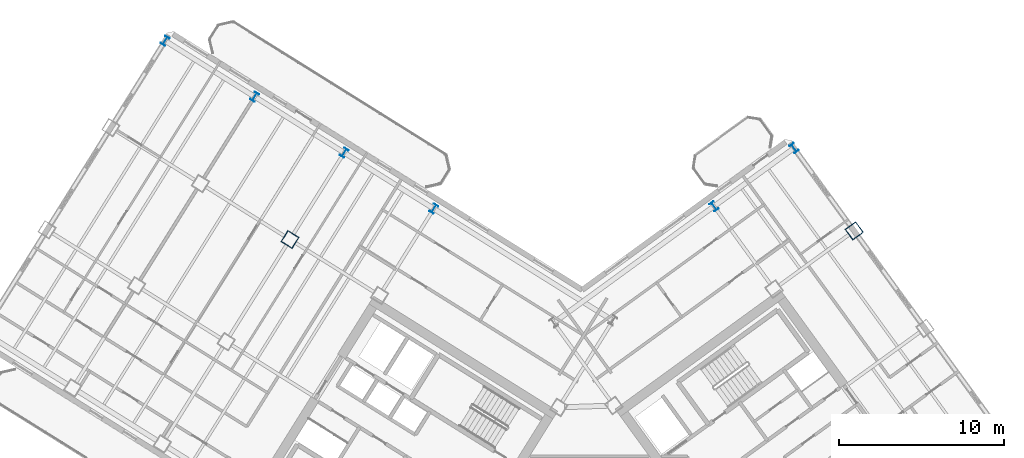
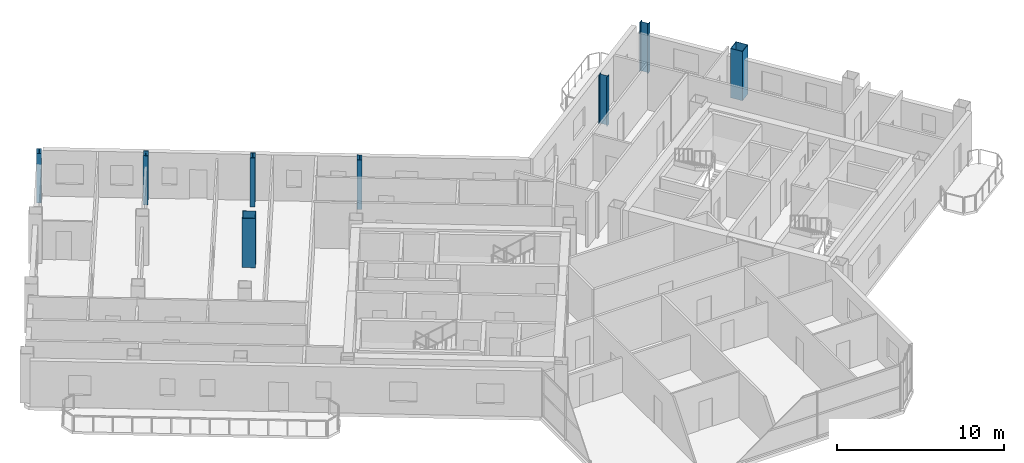
# One storey, part 3 of 20: 8 columns.
"""IFC4 building model written with IfcOpenShell, lengths in metres."""

from ifc_helpers import new_model, si_unit, direction, frame, origin, origin_2d, place, context, subcontext, project, spatial, hollow_rectangle, i_section, extrude, source, transform, mapped, material, material_profile, profile_set, type_object, element, save


model = new_model("IFC4")

# Units and contexts
model_context = context("Model", 3, precision=1e-05, world=origin(), true_north=direction((0.0, 1.0)))
body_context = subcontext(model_context, "Body", "Model", "MODEL_VIEW")
ifc_project = project(units=[si_unit("LENGTHUNIT", "METRE"), si_unit("AREAUNIT", "SQUARE_METRE"), si_unit("VOLUMEUNIT", "CUBIC_METRE"), si_unit("PLANEANGLEUNIT", "RADIAN"), si_unit("MASSUNIT", "GRAM", prefix="KILO")], contexts=[model_context])

# Site, building, storey
site_placement = place(None, origin())
site = spatial("IfcSite", under=ifc_project, at=site_placement, CompositionType="ELEMENT")
building_placement = place(site_placement, origin())
building = spatial("IfcBuilding", under=site, at=building_placement, Name="Tlacorven Tower", CompositionType="ELEMENT")
storey_placement = place(building_placement, frame((0.0, 0.0, 204.0)))
storey = spatial("IfcBuildingStorey", under=building, at=storey_placement, Name="L51", CompositionType="ELEMENT", Elevation=204.0)

# Columns
ifc_material = material(Name="Steel S460M", Category="steel")
ifc_material_profile_1 = material_profile(ifc_material, i_section(OverallWidth=0.300048828125, OverallDepth=0.550048828125, WebThickness=0.014892578125, FlangeThickness=0.029052734375, at=origin_2d()), Name="HEB 550")
ifc_profile_set_1 = profile_set([ifc_material_profile_1], Name="Steel S460M")
column_type_1 = type_object("IfcColumnType", Name="COL-TWR-P2", PredefinedType="COLUMN", material=ifc_profile_set_1)
shared_shape_1 = source(origin(), body_context, "Body", "SweptSolid", [
    extrude(i_section(OverallWidth=0.300048828125, OverallDepth=0.550048828125, WebThickness=0.014892578125, FlangeThickness=0.029052734375, at=origin_2d()), origin(), (0.0, 0.0, 1.0), 3.60009765625),
])
for number, where, z_axis, x_axis, name in (
    (1, (33.21337890625, 36.50927734375, 0.0), (0.0, 0.0, 1.0), (-0.848048096156, 0.529919264233, 0.0), "L51 column COL-L51-W3-1"),
    (2, (27.785888671875, 39.900634765625, 0.0), (0.0, 0.0, 1.0), (-0.848048096156, 0.529919264233, 0.0), "L51 column COL-L51-W4-1"),
    (3, (22.3583984375, 43.292236328125, 0.0), (0.0, 0.0, 1.0), (-0.848048096156, 0.529919264233, 0.0), "L51 column COL-L51-W5-1"),
    (4, (16.930908203125, 46.68359375, 0.0), (0.0, 0.0, 1.0), (-0.848048096156, 0.529919264233, 0.0), "L51 column COL-L51-W6-1"),
    (5, (50.187744140625, 36.654296875, 0.0), (0.0, 0.0, 1.0), (0.809016994375, 0.587785252292, 0.0), "L51 column COL-L51-E3-4"),
    (6, (55.041748046875, 40.18115234375, 0.0), (0.0, 0.0, 1.0), (0.809016994375, 0.587785252292, 0.0), "L51 column COL-L51-E4-4"),
):
    element("IfcColumn", number, at=place(storey_placement, frame(where, z_axis=z_axis, x_axis=x_axis)), inside=storey, type_object=column_type_1, Name=name, PredefinedType="COLUMN", context=body_context, shape_type="MappedRepresentation", body=[
        mapped(shared_shape_1, transform((0.0, 0.0, 0.0), scale=1.0)),
    ])
ifc_material_profile_2 = material_profile(ifc_material, hollow_rectangle(XDim=0.800048828125, YDim=0.800048828125, WallThickness=0.031982421875, at=origin_2d()), Name="BOX 800X800X32")
ifc_profile_set_2 = profile_set([ifc_material_profile_2], Name="Steel S460M")
column_type_2 = type_object("IfcColumnType", Name="COL-TWR-S3", PredefinedType="COLUMN", material=ifc_profile_set_2)
shared_shape_2 = source(origin(), body_context, "Body", "SweptSolid", [
    extrude(hollow_rectangle(XDim=0.800048828125, YDim=0.800048828125, WallThickness=0.031982421875, at=origin_2d()), origin(), (0.0, 0.0, 1.0), 3.60009765625),
])
for number, where, z_axis, x_axis, name in (
    (7, (24.50048828125, 34.642822265625, 0.0), (0.0, 0.0, 1.0), (-0.848048096156, 0.529919264233, 0.0), "L51 column COL-L51-W4-2"),
    (8, (58.68603515625, 35.165283203125, 0.0), (0.0, 0.0, 1.0), (0.809016994375, 0.587785252292, 0.0), "L51 column COL-L51-E4-3"),
):
    element("IfcColumn", number, at=place(storey_placement, frame(where, z_axis=z_axis, x_axis=x_axis)), inside=storey, type_object=column_type_2, Name=name, PredefinedType="COLUMN", context=body_context, shape_type="MappedRepresentation", body=[
        mapped(shared_shape_2, transform((0.0, 0.0, 0.0), scale=1.0)),
    ])

save(model, "model.ifc")
